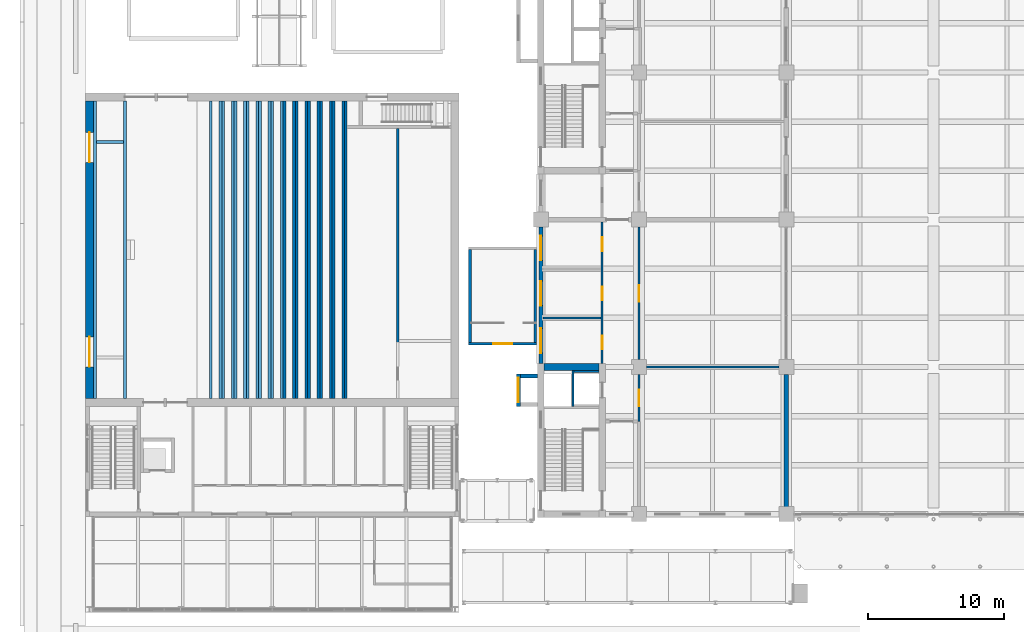
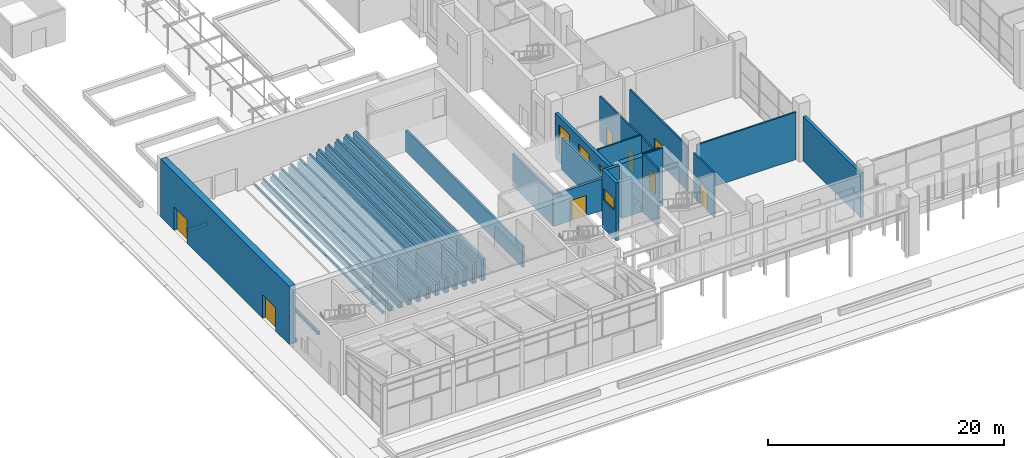
# One storey, part 47 of 71: 43 walls, 8 doors, 4 windows, 12 openings.
"""IFC4 building model written with IfcOpenShell, lengths in metres."""

import ifcopenshell
import ifcopenshell.guid

model = None  # the IFC model being written
_history = None  # IfcOwnerHistory: only IFC2X3 demands one
_inside = {}  # id of a spatial element -> (the spatial element, [elements in it])
_under = {}  # id of a project, library or spatial element -> (it, [spatial elements below it])
_declared = {}  # id of a project -> (the project, [libraries it declares])
_typed = {}  # id of a type object -> (the type object, [elements of that type])
_made_of = {}  # id of a material, layer set ... -> (it, [elements and type objects made of it])


def new_model(schema):
    """Start an empty IFC model of exactly this schema.

    Asked for "IFC4X3", IfcOpenShell would pick the latest addendum, in which some entities
    have other attributes; the version numbers below select the first issue.
    IFC2X3 requires an IfcOwnerHistory on every rooted entity: one is made here for all.
    """
    global model, _history
    if schema == "IFC4X3":
        model = ifcopenshell.file(schema_version=(4, 3, 0, 0))
    else:
        model = ifcopenshell.file(schema=schema)
    _inside.clear()
    _under.clear()
    _declared.clear()
    _typed.clear()
    _made_of.clear()
    _history = None
    if model.schema == "IFC2X3":
        org = make("IfcOrganization", Name="unknown")
        user = make(
            "IfcPersonAndOrganization",
            ThePerson=make("IfcPerson", FamilyName="unknown"),
            TheOrganization=org,
        )
        app = make(
            "IfcApplication",
            ApplicationDeveloper=org,
            Version="unknown",
            ApplicationFullName="unknown",
            ApplicationIdentifier="unknown",
        )
        _history = make(
            "IfcOwnerHistory",
            OwningUser=user,
            OwningApplication=app,
            ChangeAction="ADDED",
            CreationDate=0,
        )
    return model


def make(cls, **values):
    """One entity of the class cls with the attributes given. An attribute that is None is left unset."""
    return model.create_entity(
        cls, **{name: value for name, value in values.items() if value is not None}
    )


def rooted(cls, **values):
    """An entity with a GlobalId (a new one), such as an element, a storey or a relation."""
    return make(cls, GlobalId=ifcopenshell.guid.new(), OwnerHistory=_history, **values)


def si_unit(unit_type, name, prefix=None):
    """IfcSIUnit, for example si_unit("LENGTHUNIT", "METRE", prefix="MILLI")."""
    return make("IfcSIUnit", UnitType=unit_type, Prefix=prefix, Name=name)


def assignment(units):
    """IfcUnitAssignment: the units of a project."""
    return None if units is None else make("IfcUnitAssignment", Units=units)


def point(xyz):
    """IfcCartesianPoint."""
    return None if xyz is None else make("IfcCartesianPoint", Coordinates=xyz)


def direction(xyz):
    """IfcDirection."""
    return None if xyz is None else make("IfcDirection", DirectionRatios=xyz)


def frame(location, z_axis=None, x_axis=None):
    """IfcAxis2Placement3D, a coordinate frame: its origin and axes. An axis left out is left unset."""
    return make(
        "IfcAxis2Placement3D",
        Location=point(location),
        Axis=direction(z_axis),
        RefDirection=direction(x_axis),
    )


def frame_2d(location, x_axis=None):
    """IfcAxis2Placement2D, a coordinate frame in the plane: its origin and x axis."""
    return make(
        "IfcAxis2Placement2D", Location=point(location), RefDirection=direction(x_axis)
    )


def origin():
    """The frame at (0, 0, 0) with its axes left unset."""
    return frame((0.0, 0.0, 0.0))


def place(relative_to, where):
    """IfcLocalPlacement: puts the frame where relative to a parent placement (None: the world)."""
    return make(
        "IfcLocalPlacement", PlacementRelTo=relative_to, RelativePlacement=where
    )


def context(
    kind, dimensions, precision=None, world=None, true_north=None, identifier=None
):
    """IfcGeometricRepresentationContext, for example the 3D "Model" context."""
    return make(
        "IfcGeometricRepresentationContext",
        ContextIdentifier=identifier,
        ContextType=kind,
        CoordinateSpaceDimension=dimensions,
        Precision=precision,
        WorldCoordinateSystem=world,
        TrueNorth=true_north,
    )


def subcontext(parent, identifier, kind, view, scale=None):
    """IfcGeometricRepresentationSubContext, for example "Body" below "Model"."""
    return make(
        "IfcGeometricRepresentationSubContext",
        ContextIdentifier=identifier,
        ContextType=kind,
        ParentContext=parent,
        TargetScale=scale,
        TargetView=view,
    )


def project(units=None, contexts=None):
    """IfcProject with its units and contexts."""
    return rooted(
        "IfcProject",
        Name="project",
        RepresentationContexts=contexts,
        UnitsInContext=assignment(units),
    )


def spatial(cls, under=None, at=None, **own):
    """A site, building, storey or space (cls), placed at a placement, below another one or the project."""
    s = rooted(cls, ObjectPlacement=at, **own)
    if under is not None:
        _under.setdefault(under.id(), (under, []))[1].append(s)
    return s


def profile(cls, at=None, kind="AREA", **sizes):
    """A parametric profile (cls). Its sizes go by their IFC names, for example OverallWidth=200.0."""
    return make(cls, ProfileType=kind, Position=at, **sizes)


def rectangle(**sizes):
    """IfcRectangleProfileDef."""
    return profile("IfcRectangleProfileDef", **sizes)


def extrude(swept, where, along, depth):
    """IfcExtrudedAreaSolid: the profile swept, set in the frame where, extruded along a direction by depth."""
    return make(
        "IfcExtrudedAreaSolid",
        SweptArea=swept,
        Position=where,
        ExtrudedDirection=direction(along),
        Depth=depth,
    )


def shape(context_of_items, identifier, shape_type, items):
    """IfcShapeRepresentation: the items that make up one representation, for example the "Body"."""
    return make(
        "IfcShapeRepresentation",
        ContextOfItems=context_of_items,
        RepresentationIdentifier=identifier,
        RepresentationType=shape_type,
        Items=items,
    )


def material(Name=None, Category=None):
    """IfcMaterial."""
    return make("IfcMaterial", Name=Name, Category=Category)


def layer(
    of_material, thickness, ventilated=None, Name=None, Category=None, Priority=None
):
    """IfcMaterialLayer: one layer of a wall or slab, of a material (None: an air gap)."""
    return make(
        "IfcMaterialLayer",
        Material=of_material,
        LayerThickness=thickness,
        IsVentilated=ventilated,
        Name=Name,
        Category=Category,
        Priority=Priority,
    )


def layer_set(layers, Name=None):
    """IfcMaterialLayerSet."""
    return make("IfcMaterialLayerSet", MaterialLayers=layers, LayerSetName=Name)


def made_of(thing, what):
    """Note that an element or type object is made of a material, layer set ...; save() writes the relation."""
    if what is not None:
        _made_of.setdefault(what.id(), (what, []))[1].append(thing)
    return thing


def type_object(cls, material=None, **own):
    """A type object (cls), such as IfcWallType, which elements share."""
    return made_of(rooted(cls, **own), material)


def element(
    cls,
    number,
    at=None,
    inside=None,
    cuts=None,
    type_object=None,
    material=None,
    context=None,
    identifier="Body",
    shape_type=None,
    held_by="IfcProductDefinitionShape",
    body=None,
    shapes=None,
    **own,
):
    """One element of the class cls, such as IfcWall. Its Tag is "e" and its number.

    at: its placement. inside: the storey or other place that contains it. cuts: it is an
    opening in that element (IfcRelVoidsElement). A single representation is given by context,
    identifier, shape_type and body (its items); several are given by shapes. held_by: the class
    of the entity that holds the representations. save() writes the other relations.
    """
    e = rooted(cls, Tag="e%d" % number, ObjectPlacement=at, **own)
    if body is not None:
        shapes = [shape(context, identifier, shape_type, body)]
    if shapes is not None:
        e.Representation = make(held_by, Representations=shapes)
    if inside is not None:
        _inside.setdefault(inside.id(), (inside, []))[1].append(e)
    if cuts is not None:
        rooted(
            "IfcRelVoidsElement", RelatingBuildingElement=cuts, RelatedOpeningElement=e
        )
    if type_object is not None:
        _typed.setdefault(type_object.id(), (type_object, []))[1].append(e)
    return made_of(e, material)


def fill(opening, filler):
    """IfcRelFillsElement: the door or window that sits in an opening."""
    return rooted(
        "IfcRelFillsElement",
        RelatingOpeningElement=opening,
        RelatedBuildingElement=filler,
    )


def aggregate(whole, parts):
    """IfcRelAggregates: a whole, such as a stair, and the parts it consists of."""
    return rooted("IfcRelAggregates", RelatingObject=whole, RelatedObjects=parts)


def save(model, path):
    """Write the relations noted so far, then the file.

    IfcRelAggregates (storeys below a building ...), IfcRelContainedInSpatialStructure (elements
    in a storey), IfcRelDefinesByType, IfcRelAssociatesMaterial and IfcRelDeclares: one each for
    every whole, place, type object, material and project.
    """
    for whole, parts in _under.values():
        aggregate(whole, parts)
    for where, things in _inside.values():
        rooted(
            "IfcRelContainedInSpatialStructure",
            RelatedElements=things,
            RelatingStructure=where,
        )
    for kind, things in _typed.values():
        rooted("IfcRelDefinesByType", RelatedObjects=things, RelatingType=kind)
    for what, things in _made_of.values():
        rooted("IfcRelAssociatesMaterial", RelatedObjects=things, RelatingMaterial=what)
    for by, libraries in _declared.values():
        rooted("IfcRelDeclares", RelatingContext=by, RelatedDefinitions=libraries)
    model.write(path)


model = new_model("IFC4")

# Units and contexts
model_context = context("Model", 3, precision=1e-05, world=origin(), true_north=direction((0.0, 1.0)))
body_context = subcontext(model_context, "Body", "Model", "MODEL_VIEW")
ifc_project = project(units=[si_unit("LENGTHUNIT", "METRE"), si_unit("AREAUNIT", "SQUARE_METRE"), si_unit("VOLUMEUNIT", "CUBIC_METRE"), si_unit("PLANEANGLEUNIT", "RADIAN"), si_unit("MASSUNIT", "GRAM", prefix="KILO")], contexts=[model_context])

# Site, building, storey
site_placement = place(None, origin())
site = spatial("IfcSite", under=ifc_project, at=site_placement, CompositionType="ELEMENT")
building_placement = place(site_placement, origin())
building = spatial("IfcBuilding", under=site, at=building_placement, Name="Basin Gate Institute", CompositionType="ELEMENT")
storey_placement = place(building_placement, origin())
storey = spatial("IfcBuildingStorey", under=building, at=storey_placement, Name="L00", CompositionType="ELEMENT", Elevation=0.0)

# Wall
ifc_material_1 = material(Name="Fire-resisting board wall assembly")
ifc_layer_1 = layer(ifc_material_1, 0.300048828125)
ifc_layer_set_1 = layer_set([ifc_layer_1], Name="Atrium enclosure wall EW4")
wall_type_1 = type_object("IfcWallType", Name="Atrium enclosure wall EW4", PredefinedType="STANDARD", material=ifc_layer_set_1)
wall_1_placement = place(storey_placement, frame((79.199951171875, 35.64990234375, 0.0), z_axis=(0.0, 0.0, 1.0), x_axis=(0.0, 1.0, 0.0)))
element("IfcWall", 1, at=wall_1_placement, inside=storey, type_object=wall_type_1, material=ifc_layer_set_1, Name="Atrium enclosure wall W wing bay 1 L00", PredefinedType="STANDARD", context=body_context, shape_type="SweptSolid", body=[
    extrude(rectangle(XDim=9.7001953125, YDim=0.300048828125, at=frame_2d((4.85009765625, 0.0))), origin(), (0.0, 0.0, 1.0), 4.60009765625),
])

# Wall, openings, windows
ifc_material_2 = material(Name="Aluminium-faced insulated panel wall", Category="aluminium")
ifc_layer_2 = layer(ifc_material_2, 0.300048828125)
ifc_layer_set_2 = layer_set([ifc_layer_2], Name="External wall EW1 EI 120")
wall_type_2 = type_object("IfcWallType", Name="External wall EW1 EI 120", PredefinedType="STANDARD", material=ifc_layer_set_2)
wall_2_placement = place(storey_placement, frame((61.199951171875, 46.14990234375, 0.0), z_axis=(0.0, 0.0, 1.0), x_axis=(0.0, 1.0, 0.0)))
wall_2 = element("IfcWall", 2, at=wall_2_placement, inside=storey, type_object=wall_type_2, material=ifc_layer_set_2, Name="External wall W facade L00 1", PredefinedType="STANDARD", context=body_context, shape_type="SweptSolid", body=[
    extrude(rectangle(XDim=10.0, YDim=0.300048828125, at=frame_2d((5.0, 0.0))), origin(), (0.0, 0.0, 1.0), 4.699951171875),
])
opening_1_placement = place(wall_2_placement, frame((0.77490234375, 0.0, 0.89990234375)))
opening_1 = element("IfcOpeningElement", 3, at=opening_1_placement, cuts=wall_2, Name="Opening WN2", PredefinedType="OPENING", context=body_context, shape_type="SweptSolid", body=[
    extrude(rectangle(XDim=1.800048828125, YDim=3.0, at=frame_2d((0.89990234375, 1.5))), frame((0.0, 0.16015625, 0.0), z_axis=(0.0, -1.0, 0.0), x_axis=(1.0, 0.0, 0.0)), (0.0, 0.0, 1.0), 0.320068359375),
])
opening_2_placement = place(wall_2_placement, frame((4.25, 0.0, 0.89990234375)))
opening_2 = element("IfcOpeningElement", 4, at=opening_2_placement, cuts=wall_2, Name="Opening WN2", PredefinedType="OPENING", context=body_context, shape_type="SweptSolid", body=[
    extrude(rectangle(XDim=1.800048828125, YDim=3.0, at=frame_2d((0.89990234375, 1.5))), frame((0.0, 0.16015625, 0.0), z_axis=(0.0, -1.0, 0.0), x_axis=(1.0, 0.0, 0.0)), (0.0, 0.0, 1.0), 0.320068359375),
])
opening_3_placement = place(wall_2_placement, frame((7.574951171875, 0.0, 0.89990234375)))
opening_3 = element("IfcOpeningElement", 5, at=opening_3_placement, cuts=wall_2, Name="Opening WN2", PredefinedType="OPENING", context=body_context, shape_type="SweptSolid", body=[
    extrude(rectangle(XDim=1.800048828125, YDim=3.0, at=frame_2d((0.89990234375, 1.5))), frame((0.0, 0.16015625, 0.0), z_axis=(0.0, -1.0, 0.0), x_axis=(1.0, 0.0, 0.0)), (0.0, 0.0, 1.0), 0.320068359375),
])
ifc_material_3 = material(Name="Aluminium-framed double glazing", Category="aluminium")
window_type_1 = type_object("IfcWindowType", Name="Podium window WN2", PartitioningType="SINGLE_PANEL", PredefinedType="WINDOW", material=ifc_material_3)
window_1_placement = place(opening_1_placement, origin())
window_1 = element("IfcWindow", 6, at=window_1_placement, inside=storey, type_object=window_type_1, material=ifc_material_3, Name="Podium window W facade L00 bay 4", OverallHeight=3.0, OverallWidth=1.800048828125, PartitioningType="SINGLE_PANEL", PredefinedType="WINDOW", context=body_context, shape_type="SweptSolid", body=[
    extrude(rectangle(XDim=1.800048828125, YDim=3.0, at=frame_2d((0.89990234375, 1.5))), frame((0.0, 0.030029296875, 0.0), z_axis=(0.0, -1.0, 0.0), x_axis=(1.0, 0.0, 0.0)), (0.0, 0.0, 1.0), 0.06005859375),
])
fill(opening_1, window_1)
window_2_placement = place(opening_2_placement, origin())
window_2 = element("IfcWindow", 7, at=window_2_placement, inside=storey, type_object=window_type_1, material=ifc_material_3, Name="Podium window W facade L00 bay 5", OverallHeight=3.0, OverallWidth=1.800048828125, PartitioningType="SINGLE_PANEL", PredefinedType="WINDOW", context=body_context, shape_type="SweptSolid", body=[
    extrude(rectangle(XDim=1.800048828125, YDim=3.0, at=frame_2d((0.89990234375, 1.5))), frame((0.0, 0.030029296875, 0.0), z_axis=(0.0, -1.0, 0.0), x_axis=(1.0, 0.0, 0.0)), (0.0, 0.0, 1.0), 0.06005859375),
])
fill(opening_2, window_2)
window_3_placement = place(opening_3_placement, origin())
window_3 = element("IfcWindow", 8, at=window_3_placement, inside=storey, type_object=window_type_1, material=ifc_material_3, Name="Podium window W facade L00 bay 6", OverallHeight=3.0, OverallWidth=1.800048828125, PartitioningType="SINGLE_PANEL", PredefinedType="WINDOW", context=body_context, shape_type="SweptSolid", body=[
    extrude(rectangle(XDim=1.800048828125, YDim=3.0, at=frame_2d((0.89990234375, 1.5))), frame((0.0, 0.030029296875, 0.0), z_axis=(0.0, -1.0, 0.0), x_axis=(1.0, 0.0, 0.0)), (0.0, 0.0, 1.0), 0.06005859375),
])
fill(opening_3, window_3)

# Wall, openings, doors
ifc_material_4 = material(Name="Gypsum board on steel stud", Category="steel")
ifc_layer_3 = layer(ifc_material_4, 0.14990234375)
ifc_layer_set_3 = layer_set([ifc_layer_3], Name="Gypsum board on steel stud")
wall_type_3 = type_object("IfcWallType", Name="Partition PW1 150 EI 60", PredefinedType="PARTITIONING", material=ifc_layer_set_3)
wall_3_placement = place(storey_placement, frame((65.699951171875, 46.14990234375, 0.0), z_axis=(0.0, 0.0, 1.0), x_axis=(0.0, 1.0, 0.0)))
wall_3 = element("IfcWall", 9, at=wall_3_placement, inside=storey, type_object=wall_type_3, material=ifc_layer_set_3, Name="Corridor wall PW1 L00", PredefinedType="PARTITIONING", context=body_context, shape_type="SweptSolid", body=[
    extrude(rectangle(XDim=10.400146484375, YDim=0.14990234375, at=frame_2d((5.2001953125, 0.0))), origin(), (0.0, 0.0, 1.0), 4.60009765625),
])
opening_4_placement = place(wall_3_placement, frame((1.050048828125, 0.0, 0.0)))
opening_4 = element("IfcOpeningElement", 10, at=opening_4_placement, cuts=wall_3, Name="Opening DR034", PredefinedType="OPENING", context=body_context, shape_type="SweptSolid", body=[
    extrude(rectangle(XDim=1.0, YDim=2.10009765625, at=frame_2d((0.5, 1.050048828125))), frame((0.0, 0.0849609375, 0.0), z_axis=(0.0, -1.0, 0.0), x_axis=(1.0, 0.0, 0.0)), (0.0, 0.0, 1.0), 0.169921875),
])
opening_5_placement = place(wall_3_placement, frame((4.64990234375, 0.0, 0.0)))
opening_5 = element("IfcOpeningElement", 11, at=opening_5_placement, cuts=wall_3, Name="Opening DR035", PredefinedType="OPENING", context=body_context, shape_type="SweptSolid", body=[
    extrude(rectangle(XDim=1.0, YDim=2.10009765625, at=frame_2d((0.5, 1.050048828125))), frame((0.0, 0.0849609375, 0.0), z_axis=(0.0, -1.0, 0.0), x_axis=(1.0, 0.0, 0.0)), (0.0, 0.0, 1.0), 0.169921875),
])
opening_6_placement = place(wall_3_placement, frame((8.25, 0.0, 0.0)))
opening_6 = element("IfcOpeningElement", 12, at=opening_6_placement, cuts=wall_3, Name="Opening DR036", PredefinedType="OPENING", context=body_context, shape_type="SweptSolid", body=[
    extrude(rectangle(XDim=1.0, YDim=2.10009765625, at=frame_2d((0.5, 1.050048828125))), frame((0.0, 0.0849609375, 0.0), z_axis=(0.0, -1.0, 0.0), x_axis=(1.0, 0.0, 0.0)), (0.0, 0.0, 1.0), 0.169921875),
])
ifc_material_5 = material(Name="Timber fire door", Category="wood")
door_type_1 = type_object("IfcDoorType", Name="FD30 Office door D1", OperationType="NOTDEFINED", PredefinedType="DOOR", material=ifc_material_5)
door_1_placement = place(opening_4_placement, origin())
door_1 = element("IfcDoor", 13, at=door_1_placement, inside=storey, type_object=door_type_1, material=ifc_material_5, Name="Door to Write-up Office 0001 L00", OperationType="SINGLE_SWING_LEFT", OverallHeight=2.10009765625, OverallWidth=1.0, PredefinedType="DOOR", context=body_context, shape_type="SweptSolid", body=[
    extrude(rectangle(XDim=1.0, YDim=2.10009765625, at=frame_2d((0.5, 1.050048828125))), frame((0.0, 0.02490234375, 0.0), z_axis=(0.0, -1.0, 0.0), x_axis=(1.0, 0.0, 0.0)), (0.0, 0.0, 1.0), 0.050048828125),
])
fill(opening_4, door_1)
door_2_placement = place(opening_5_placement, origin())
door_2 = element("IfcDoor", 14, at=door_2_placement, inside=storey, type_object=door_type_1, material=ifc_material_5, Name="Door to Write-up Office 0002 L00", OperationType="SINGLE_SWING_LEFT", OverallHeight=2.10009765625, OverallWidth=1.0, PredefinedType="DOOR", context=body_context, shape_type="SweptSolid", body=[
    extrude(rectangle(XDim=1.0, YDim=2.10009765625, at=frame_2d((0.5, 1.050048828125))), frame((0.0, 0.02490234375, 0.0), z_axis=(0.0, -1.0, 0.0), x_axis=(1.0, 0.0, 0.0)), (0.0, 0.0, 1.0), 0.050048828125),
])
fill(opening_5, door_2)
door_3_placement = place(opening_6_placement, origin())
door_3 = element("IfcDoor", 15, at=door_3_placement, inside=storey, type_object=door_type_1, material=ifc_material_5, Name="Door to Write-up Office 0003 L00", OperationType="SINGLE_SWING_RIGHT", OverallHeight=2.10009765625, OverallWidth=1.0, PredefinedType="DOOR", context=body_context, shape_type="SweptSolid", body=[
    extrude(rectangle(XDim=1.0, YDim=2.10009765625, at=frame_2d((0.5, 1.050048828125))), frame((0.0, 0.02490234375, 0.0), z_axis=(0.0, -1.0, 0.0), x_axis=(1.0, 0.0, 0.0)), (0.0, 0.0, 1.0), 0.050048828125),
])
fill(opening_6, door_3)

# Wall, opening, door
wall_4_placement = place(storey_placement, frame((68.39990234375, 41.89990234375, 0.0), z_axis=(0.0, 0.0, 1.0), x_axis=(0.0, 1.0, 0.0)))
wall_4 = element("IfcWall", 16, at=wall_4_placement, inside=storey, type_object=wall_type_3, material=ifc_layer_set_3, Name="Laboratory corridor wall PW1 L00", PredefinedType="PARTITIONING", context=body_context, shape_type="SweptSolid", body=[
    extrude(rectangle(XDim=3.4501953125, YDim=0.14990234375, at=frame_2d((1.72509765625, 0.0))), origin(), (0.0, 0.0, 1.0), 4.60009765625),
])
opening_7_placement = place(wall_4_placement, frame((1.125, 0.0, 0.0)))
opening_7 = element("IfcOpeningElement", 17, at=opening_7_placement, cuts=wall_4, Name="Opening DR027", PredefinedType="OPENING", context=body_context, shape_type="SweptSolid", body=[
    extrude(rectangle(XDim=1.199951171875, YDim=2.10009765625, at=frame_2d((0.60009765625, 1.050048828125))), frame((0.0, 0.0849609375, 0.0), z_axis=(0.0, -1.0, 0.0), x_axis=(1.0, 0.0, 0.0)), (0.0, 0.0, 1.0), 0.169921875),
])
ifc_material_6 = material(Name="Timber fire door", Category="wood")
door_type_2 = type_object("IfcDoorType", Name="FD30 Laboratory door D2", OperationType="DOUBLE_DOOR_SINGLE_SWING", PredefinedType="DOOR", material=ifc_material_6)
door_4_placement = place(opening_7_placement, frame((1.199951171875, 0.0, 0.0), z_axis=(0.0, 0.0, 1.0), x_axis=(-1.0, 0.0, 0.0)))
door_4 = element("IfcDoor", 18, at=door_4_placement, inside=storey, type_object=door_type_2, material=ifc_material_6, Name="Door to Exhibition Gallery 0017 L00", OperationType="DOUBLE_DOOR_SINGLE_SWING", OverallHeight=2.10009765625, OverallWidth=1.199951171875, PredefinedType="DOOR", context=body_context, shape_type="SweptSolid", body=[
    extrude(rectangle(XDim=1.199951171875, YDim=2.10009765625, at=frame_2d((0.60009765625, 1.050048828125))), frame((0.0, 0.02490234375, 0.0), z_axis=(0.0, -1.0, 0.0), x_axis=(1.0, 0.0, 0.0)), (0.0, 0.0, 1.0), 0.050048828125),
])
fill(opening_7, door_4)

wall_5_placement = place(storey_placement, frame((68.39990234375, 46.449951171875, 0.0), z_axis=(0.0, 0.0, 1.0), x_axis=(0.0, 1.0, 0.0)))
wall_5 = element("IfcWall", 19, at=wall_5_placement, inside=storey, type_object=wall_type_3, material=ifc_layer_set_3, Name="Laboratory corridor wall PW1 L00", PredefinedType="PARTITIONING", context=body_context, shape_type="SweptSolid", body=[
    extrude(rectangle(XDim=9.699951171875, YDim=0.14990234375, at=frame_2d((4.85009765625, 0.0))), origin(), (0.0, 0.0, 1.0), 4.60009765625),
])
opening_8_placement = place(wall_5_placement, frame((4.25, 0.0, 0.0)))
opening_8 = element("IfcOpeningElement", 20, at=opening_8_placement, cuts=wall_5, Name="Opening DR031", PredefinedType="OPENING", context=body_context, shape_type="SweptSolid", body=[
    extrude(rectangle(XDim=1.199951171875, YDim=2.10009765625, at=frame_2d((0.60009765625, 1.050048828125))), frame((0.0, 0.0849609375, 0.0), z_axis=(0.0, -1.0, 0.0), x_axis=(1.0, 0.0, 0.0)), (0.0, 0.0, 1.0), 0.169921875),
])
door_5_placement = place(opening_8_placement, origin())
door_5 = element("IfcDoor", 21, at=door_5_placement, inside=storey, type_object=door_type_2, material=ifc_material_6, Name="Door to Foyer 0018 L00", OperationType="DOUBLE_DOOR_SINGLE_SWING", OverallHeight=2.10009765625, OverallWidth=1.199951171875, PredefinedType="DOOR", context=body_context, shape_type="SweptSolid", body=[
    extrude(rectangle(XDim=1.199951171875, YDim=2.10009765625, at=frame_2d((0.60009765625, 1.050048828125))), frame((0.0, 0.02490234375, 0.0), z_axis=(0.0, -1.0, 0.0), x_axis=(1.0, 0.0, 0.0)), (0.0, 0.0, 1.0), 0.050048828125),
])
fill(opening_8, door_5)

# Walls
wall_6_placement = place(storey_placement, frame((68.949951171875, 45.89990234375, 0.0), z_axis=(0.0, 0.0, 1.0), x_axis=(1.0, 0.0, 0.0)))
element("IfcWall", 22, at=wall_6_placement, inside=storey, type_object=wall_type_3, material=ifc_layer_set_3, Name="Laboratory partition PW1 L00", PredefinedType="PARTITIONING", context=body_context, shape_type="SweptSolid", body=[
    extrude(rectangle(XDim=9.699951171875, YDim=0.14990234375, at=frame_2d((4.85009765625, 0.0))), origin(), (0.0, 0.0, 1.0), 4.89990234375),
])
ifc_material_7 = material(Name="Gypsum board on steel stud", Category="steel")
ifc_layer_4 = layer(ifc_material_7, 0.14990234375)
ifc_layer_set_4 = layer_set([ifc_layer_4], Name="Gypsum board on steel stud")
wall_type_4 = type_object("IfcWallType", Name="Partition PW4 150", PredefinedType="PARTITIONING", material=ifc_layer_set_4)
wall_7_placement = place(storey_placement, frame((61.35009765625, 49.5, 0.0), z_axis=(0.0, 0.0, 1.0), x_axis=(1.0, 0.0, 0.0)))
element("IfcWall", 23, at=wall_7_placement, inside=storey, type_object=wall_type_4, material=ifc_layer_set_4, Name="Office partition PW4 L00", PredefinedType="PARTITIONING", context=body_context, shape_type="SweptSolid", body=[
    extrude(rectangle(XDim=4.27490234375, YDim=0.14990234375, at=frame_2d((2.137451171875, 0.0))), origin(), (0.0, 0.0, 1.0), 4.89990234375),
])

# Wall, opening, door
ifc_material_8 = material(Name="Concrete 35 MPa", Category="concrete")
ifc_layer_5 = layer(ifc_material_8, 0.199951171875)
ifc_layer_set_5 = layer_set([ifc_layer_5], Name="Concrete 35 MPa")
wall_type_5 = type_object("IfcWallType", Name="Stair head house wall 200", PredefinedType="SOLIDWALL", material=ifc_layer_set_5)
wall_8_placement = place(storey_placement, frame((55.89990234375, 47.60009765625, 0.0), z_axis=(0.0, 0.0, 1.0), x_axis=(1.0, 0.0, 0.0)))
wall_8 = element("IfcWall", 24, at=wall_8_placement, inside=storey, type_object=wall_type_5, material=ifc_layer_set_5, Name="Stair head house BS1 wall", PredefinedType="SOLIDWALL", context=body_context, shape_type="SweptSolid", body=[
    extrude(rectangle(XDim=5.0, YDim=0.199951171875, at=frame_2d((2.5, 0.0))), origin(), (0.0, 0.0, 1.0), 3.300048828125),
])
opening_9_placement = place(wall_8_placement, frame((1.800048828125, 0.0, 0.0)))
opening_9 = element("IfcOpeningElement", 25, at=opening_9_placement, cuts=wall_8, Name="Opening DB901", PredefinedType="OPENING", context=body_context, shape_type="SweptSolid", body=[
    extrude(rectangle(XDim=1.39990234375, YDim=2.10009765625, at=frame_2d((0.699951171875, 1.050048828125))), frame((0.0, 0.10986328125, 0.0), z_axis=(0.0, -1.0, 0.0), x_axis=(1.0, 0.0, 0.0)), (0.0, 0.0, 1.0), 0.219970703125),
])
ifc_material_9 = material(Name="Steel door set", Category="steel")
door_type_3 = type_object("IfcDoorType", Name="Final exit door 1400x2100", OperationType="DOUBLE_DOOR_SINGLE_SWING", PredefinedType="DOOR", material=ifc_material_9)
door_6_placement = place(opening_9_placement, frame((1.39990234375, 0.0, 0.0), z_axis=(0.0, 0.0, 1.0), x_axis=(-1.0, 0.0, 0.0)))
door_6 = element("IfcDoor", 26, at=door_6_placement, inside=storey, type_object=door_type_3, material=ifc_material_9, Name="Final exit BS1", OperationType="DOUBLE_DOOR_SINGLE_SWING", OverallHeight=2.10009765625, OverallWidth=1.39990234375, PredefinedType="DOOR", context=body_context, shape_type="SweptSolid", body=[
    extrude(rectangle(XDim=1.39990234375, YDim=2.10009765625, at=frame_2d((0.699951171875, 1.050048828125))), frame((0.0, 0.02490234375, 0.0), z_axis=(0.0, -1.0, 0.0), x_axis=(1.0, 0.0, 0.0)), (0.0, 0.0, 1.0), 0.050048828125),
])
fill(opening_9, door_6)

# Walls
for number, where, z_axis, x_axis, name in (
    (27, (56.0, 47.699951171875, 0.0), (0.0, 0.0, 1.0), (0.0, 1.0, 0.0), "Stair head house BS1 wall"),
    (28, (60.800048828125, 47.699951171875, 0.0), (0.0, 0.0, 1.0), (0.0, 1.0, 0.0), "Stair head house BS1 wall"),
):
    element("IfcWall", number, at=place(storey_placement, frame(where, z_axis=z_axis, x_axis=x_axis)), inside=storey, type_object=wall_type_5, material=ifc_layer_set_5, Name=name, PredefinedType="SOLIDWALL", context=body_context, shape_type="SweptSolid", body=[
        extrude(rectangle(XDim=6.800048828125, YDim=0.199951171875, at=frame_2d((3.39990234375, 0.0))), origin(), (0.0, 0.0, 1.0), 3.300048828125),
    ])

# Wall, openings, doors
ifc_material_10 = material(Name="Concrete 50 MPa", Category="concrete")
ifc_layer_6 = layer(ifc_material_10, 0.60009765625)
ifc_layer_set_6 = layer_set([ifc_layer_6], Name="Concrete 50 MPa")
wall_type_6 = type_object("IfcWallType", Name="Theatre auditorium wall W79 REI 180", PredefinedType="SOLIDWALL", material=ifc_layer_set_6)
wall_9_placement = place(storey_placement, frame((28.10009765625, 43.60009765625, 0.0), z_axis=(0.0, 0.0, 1.0), x_axis=(0.0, 1.0, 0.0)))
wall_9 = element("IfcWall", 29, at=wall_9_placement, inside=storey, type_object=wall_type_6, material=ifc_layer_set_6, Name="Theatre stage end wall L00", PredefinedType="SOLIDWALL", context=body_context, shape_type="SweptSolid", body=[
    extrude(rectangle(XDim=21.7998046875, YDim=0.60009765625, at=frame_2d((10.89990234375, 0.0))), origin(), (0.0, 0.0, 1.0), 6.0),
])
opening_10_placement = place(wall_9_placement, frame((2.300048828125, 0.0, 0.0)))
opening_10 = element("IfcOpeningElement", 30, at=opening_10_placement, cuts=wall_9, Name="Opening D912", PredefinedType="OPENING", context=body_context, shape_type="SweptSolid", body=[
    extrude(rectangle(XDim=2.199951171875, YDim=2.39990234375, at=frame_2d((1.10009765625, 1.199951171875))), frame((0.0, 0.31005859375, 0.0), z_axis=(0.0, -1.0, 0.0), x_axis=(1.0, 0.0, 0.0)), (0.0, 0.0, 1.0), 0.6201171875),
])
opening_11_placement = place(wall_9_placement, frame((17.300048828125, 0.0, 0.0)))
opening_11 = element("IfcOpeningElement", 31, at=opening_11_placement, cuts=wall_9, Name="Opening D913", PredefinedType="OPENING", context=body_context, shape_type="SweptSolid", body=[
    extrude(rectangle(XDim=2.199951171875, YDim=2.39990234375, at=frame_2d((1.10009765625, 1.199951171875))), frame((0.0, 0.31005859375, 0.0), z_axis=(0.0, -1.0, 0.0), x_axis=(1.0, 0.0, 0.0)), (0.0, 0.0, 1.0), 0.6201171875),
])
ifc_material_11 = material(Name="Steel door leaf with glazed vision panel", Category="steel")
door_type_4 = type_object("IfcDoorType", Name="Block door 2200 double swing", OperationType="DOUBLE_DOOR_SINGLE_SWING", PredefinedType="DOOR", material=ifc_material_11)
door_7_placement = place(opening_10_placement, origin())
door_7 = element("IfcDoor", 32, at=door_7_placement, inside=storey, type_object=door_type_4, material=ifc_material_11, Name="Final exit Lecture Theatre W1", OperationType="DOUBLE_DOOR_SINGLE_SWING", OverallHeight=2.39990234375, OverallWidth=2.199951171875, PredefinedType="DOOR", context=body_context, shape_type="SweptSolid", body=[
    extrude(rectangle(XDim=2.199951171875, YDim=2.39990234375, at=frame_2d((1.10009765625, 1.199951171875))), frame((0.0, 0.02490234375, 0.0), z_axis=(0.0, -1.0, 0.0), x_axis=(1.0, 0.0, 0.0)), (0.0, 0.0, 1.0), 0.050048828125),
])
fill(opening_10, door_7)
door_8_placement = place(opening_11_placement, origin())
door_8 = element("IfcDoor", 33, at=door_8_placement, inside=storey, type_object=door_type_4, material=ifc_material_11, Name="Final exit Lecture Theatre W2", OperationType="DOUBLE_DOOR_SINGLE_SWING", OverallHeight=2.39990234375, OverallWidth=2.199951171875, PredefinedType="DOOR", context=body_context, shape_type="SweptSolid", body=[
    extrude(rectangle(XDim=2.199951171875, YDim=2.39990234375, at=frame_2d((1.10009765625, 1.199951171875))), frame((0.0, 0.02490234375, 0.0), z_axis=(0.0, -1.0, 0.0), x_axis=(1.0, 0.0, 0.0)), (0.0, 0.0, 1.0), 0.050048828125),
])
fill(opening_11, door_8)

# Walls
ifc_material_12 = material(Name="Concrete 40 MPa", Category="concrete")
ifc_layer_7 = layer(ifc_material_12, 0.199951171875)
ifc_layer_set_7 = layer_set([ifc_layer_7], Name="Concrete 40 MPa")
wall_type_7 = type_object("IfcWallType", Name="Tier support wall W74 R180", PredefinedType="SOLIDWALL", material=ifc_layer_set_7)
for number, where, z_axis, x_axis, name in (
    (34, (37.0, 43.60009765625, 0.0), (0.0, 0.0, 1.0), (0.0, 1.0, 0.0), "Tier support wall 2a"),
    (35, (37.699951171875, 43.60009765625, 0.0), (0.0, 0.0, 1.0), (0.0, 1.0, 0.0), "Tier support wall 2b"),
):
    element("IfcWall", number, at=place(storey_placement, frame(where, z_axis=z_axis, x_axis=x_axis)), inside=storey, type_object=wall_type_7, material=ifc_layer_set_7, Name=name, PredefinedType="SOLIDWALL", context=body_context, shape_type="SweptSolid", body=[
        extrude(rectangle(XDim=21.7998046875, YDim=0.199951171875, at=frame_2d((10.89990234375, 0.0))), origin(), (0.0, 0.0, 1.0), 0.199951171875),
    ])
for number, where, z_axis, x_axis, name in (
    (36, (37.89990234375, 43.60009765625, 0.0), (0.0, 0.0, 1.0), (0.0, 1.0, 0.0), "Tier support wall 3a"),
    (37, (38.60009765625, 43.60009765625, 0.0), (0.0, 0.0, 1.0), (0.0, 1.0, 0.0), "Tier support wall 3b"),
):
    element("IfcWall", number, at=place(storey_placement, frame(where, z_axis=z_axis, x_axis=x_axis)), inside=storey, type_object=wall_type_7, material=ifc_layer_set_7, Name=name, PredefinedType="SOLIDWALL", context=body_context, shape_type="SweptSolid", body=[
        extrude(rectangle(XDim=21.7998046875, YDim=0.199951171875, at=frame_2d((10.89990234375, 0.0))), origin(), (0.0, 0.0, 1.0), 0.39990234375),
    ])
for number, where, z_axis, x_axis, name in (
    (38, (38.800048828125, 43.60009765625, 0.0), (0.0, 0.0, 1.0), (0.0, 1.0, 0.0), "Tier support wall 4a"),
    (39, (39.5, 43.60009765625, 0.0), (0.0, 0.0, 1.0), (0.0, 1.0, 0.0), "Tier support wall 4b"),
):
    element("IfcWall", number, at=place(storey_placement, frame(where, z_axis=z_axis, x_axis=x_axis)), inside=storey, type_object=wall_type_7, material=ifc_layer_set_7, Name=name, PredefinedType="SOLIDWALL", context=body_context, shape_type="SweptSolid", body=[
        extrude(rectangle(XDim=21.7998046875, YDim=0.199951171875, at=frame_2d((10.89990234375, 0.0))), origin(), (0.0, 0.0, 1.0), 0.60009765625),
    ])
for number, where, z_axis, x_axis, name in (
    (40, (39.699951171875, 43.60009765625, 0.0), (0.0, 0.0, 1.0), (0.0, 1.0, 0.0), "Tier support wall 5a"),
    (41, (40.39990234375, 43.60009765625, 0.0), (0.0, 0.0, 1.0), (0.0, 1.0, 0.0), "Tier support wall 5b"),
):
    element("IfcWall", number, at=place(storey_placement, frame(where, z_axis=z_axis, x_axis=x_axis)), inside=storey, type_object=wall_type_7, material=ifc_layer_set_7, Name=name, PredefinedType="SOLIDWALL", context=body_context, shape_type="SweptSolid", body=[
        extrude(rectangle(XDim=21.7998046875, YDim=0.199951171875, at=frame_2d((10.89990234375, 0.0))), origin(), (0.0, 0.0, 1.0), 0.800048828125),
    ])
for number, where, z_axis, x_axis, name in (
    (42, (40.60009765625, 43.60009765625, 0.0), (0.0, 0.0, 1.0), (0.0, 1.0, 0.0), "Tier support wall 6a"),
    (43, (41.300048828125, 43.60009765625, 0.0), (0.0, 0.0, 1.0), (0.0, 1.0, 0.0), "Tier support wall 6b"),
):
    element("IfcWall", number, at=place(storey_placement, frame(where, z_axis=z_axis, x_axis=x_axis)), inside=storey, type_object=wall_type_7, material=ifc_layer_set_7, Name=name, PredefinedType="SOLIDWALL", context=body_context, shape_type="SweptSolid", body=[
        extrude(rectangle(XDim=21.7998046875, YDim=0.199951171875, at=frame_2d((10.89990234375, 0.0))), origin(), (0.0, 0.0, 1.0), 1.0),
    ])
for number, where, z_axis, x_axis, name in (
    (44, (41.5, 43.60009765625, 0.0), (0.0, 0.0, 1.0), (0.0, 1.0, 0.0), "Tier support wall 7a"),
    (45, (42.199951171875, 43.60009765625, 0.0), (0.0, 0.0, 1.0), (0.0, 1.0, 0.0), "Tier support wall 7b"),
):
    element("IfcWall", number, at=place(storey_placement, frame(where, z_axis=z_axis, x_axis=x_axis)), inside=storey, type_object=wall_type_7, material=ifc_layer_set_7, Name=name, PredefinedType="SOLIDWALL", context=body_context, shape_type="SweptSolid", body=[
        extrude(rectangle(XDim=21.7998046875, YDim=0.199951171875, at=frame_2d((10.89990234375, 0.0))), origin(), (0.0, 0.0, 1.0), 1.199951171875),
    ])
for number, where, z_axis, x_axis, name in (
    (46, (42.39990234375, 43.60009765625, 0.0), (0.0, 0.0, 1.0), (0.0, 1.0, 0.0), "Tier support wall 8a"),
    (47, (43.10009765625, 43.60009765625, 0.0), (0.0, 0.0, 1.0), (0.0, 1.0, 0.0), "Tier support wall 8b"),
):
    element("IfcWall", number, at=place(storey_placement, frame(where, z_axis=z_axis, x_axis=x_axis)), inside=storey, type_object=wall_type_7, material=ifc_layer_set_7, Name=name, PredefinedType="SOLIDWALL", context=body_context, shape_type="SweptSolid", body=[
        extrude(rectangle(XDim=21.7998046875, YDim=0.199951171875, at=frame_2d((10.89990234375, 0.0))), origin(), (0.0, 0.0, 1.0), 1.39990234375),
    ])
for number, where, z_axis, x_axis, name in (
    (48, (43.300048828125, 43.60009765625, 0.0), (0.0, 0.0, 1.0), (0.0, 1.0, 0.0), "Tier support wall 9a"),
    (49, (44.0, 43.60009765625, 0.0), (0.0, 0.0, 1.0), (0.0, 1.0, 0.0), "Tier support wall 9b"),
):
    element("IfcWall", number, at=place(storey_placement, frame(where, z_axis=z_axis, x_axis=x_axis)), inside=storey, type_object=wall_type_7, material=ifc_layer_set_7, Name=name, PredefinedType="SOLIDWALL", context=body_context, shape_type="SweptSolid", body=[
        extrude(rectangle(XDim=21.7998046875, YDim=0.199951171875, at=frame_2d((10.89990234375, 0.0))), origin(), (0.0, 0.0, 1.0), 1.60009765625),
    ])
for number, where, z_axis, x_axis, name in (
    (50, (44.199951171875, 43.60009765625, 0.0), (0.0, 0.0, 1.0), (0.0, 1.0, 0.0), "Tier support wall 10a"),
    (51, (44.89990234375, 43.60009765625, 0.0), (0.0, 0.0, 1.0), (0.0, 1.0, 0.0), "Tier support wall 10b"),
):
    element("IfcWall", number, at=place(storey_placement, frame(where, z_axis=z_axis, x_axis=x_axis)), inside=storey, type_object=wall_type_7, material=ifc_layer_set_7, Name=name, PredefinedType="SOLIDWALL", context=body_context, shape_type="SweptSolid", body=[
        extrude(rectangle(XDim=21.7998046875, YDim=0.199951171875, at=frame_2d((10.89990234375, 0.0))), origin(), (0.0, 0.0, 1.0), 1.800048828125),
    ])
for number, where, z_axis, x_axis, name in (
    (52, (45.10009765625, 43.60009765625, 0.0), (0.0, 0.0, 1.0), (0.0, 1.0, 0.0), "Tier support wall 11a"),
    (53, (45.800048828125, 43.60009765625, 0.0), (0.0, 0.0, 1.0), (0.0, 1.0, 0.0), "Tier support wall 11b"),
):
    element("IfcWall", number, at=place(storey_placement, frame(where, z_axis=z_axis, x_axis=x_axis)), inside=storey, type_object=wall_type_7, material=ifc_layer_set_7, Name=name, PredefinedType="SOLIDWALL", context=body_context, shape_type="SweptSolid", body=[
        extrude(rectangle(XDim=21.7998046875, YDim=0.199951171875, at=frame_2d((10.89990234375, 0.0))), origin(), (0.0, 0.0, 1.0), 2.0),
    ])
for number, where, z_axis, x_axis, name in (
    (54, (46.0, 43.60009765625, 0.0), (0.0, 0.0, 1.0), (0.0, 1.0, 0.0), "Tier support wall 12a"),
    (55, (46.699951171875, 43.60009765625, 0.0), (0.0, 0.0, 1.0), (0.0, 1.0, 0.0), "Tier support wall 12b"),
    (56, (46.89990234375, 43.60009765625, 0.0), (0.0, 0.0, 1.0), (0.0, 1.0, 0.0), "Tier support wall platform 1"),
):
    element("IfcWall", number, at=place(storey_placement, frame(where, z_axis=z_axis, x_axis=x_axis)), inside=storey, type_object=wall_type_7, material=ifc_layer_set_7, Name=name, PredefinedType="SOLIDWALL", context=body_context, shape_type="SweptSolid", body=[
        extrude(rectangle(XDim=21.7998046875, YDim=0.199951171875, at=frame_2d((10.89990234375, 0.0))), origin(), (0.0, 0.0, 1.0), 2.199951171875),
    ])
wall_10_placement = place(storey_placement, frame((50.699951171875, 43.60009765625, 0.0), z_axis=(0.0, 0.0, 1.0), x_axis=(0.0, 1.0, 0.0)))
element("IfcWall", 57, at=wall_10_placement, inside=storey, type_object=wall_type_7, material=ifc_layer_set_7, Name="Tier support wall platform 2", PredefinedType="SOLIDWALL", context=body_context, shape_type="SweptSolid", body=[
    extrude(rectangle(XDim=19.77490234375, YDim=0.199951171875, at=frame_2d((9.887451171875, 0.0))), origin(), (0.0, 0.0, 1.0), 2.199951171875),
])
for number, where, z_axis, x_axis, name in (
    (58, (28.5, 43.60009765625, 0.0), (0.0, 0.0, 1.0), (0.0, 1.0, 0.0), "Stage support wall 1"),
    (59, (30.699951171875, 43.60009765625, 0.0), (0.0, 0.0, 1.0), (0.0, 1.0, 0.0), "Stage support wall 2"),
):
    element("IfcWall", number, at=place(storey_placement, frame(where, z_axis=z_axis, x_axis=x_axis)), inside=storey, type_object=wall_type_7, material=ifc_layer_set_7, Name=name, PredefinedType="SOLIDWALL", context=body_context, shape_type="SweptSolid", body=[
        extrude(rectangle(XDim=21.7998046875, YDim=0.199951171875, at=frame_2d((10.89990234375, 0.0))), origin(), (0.0, 0.0, 1.0), 0.340087890625),
    ])
wall_11_placement = place(storey_placement, frame((28.60009765625, 62.39990234375, 0.0), z_axis=(0.0, 0.0, 1.0), x_axis=(1.0, 0.0, 0.0)))
element("IfcWall", 60, at=wall_11_placement, inside=storey, type_object=wall_type_7, material=ifc_layer_set_7, Name="Stage support wall 4", PredefinedType="SOLIDWALL", context=body_context, shape_type="SweptSolid", body=[
    extrude(rectangle(XDim=2.0, YDim=0.199951171875, at=frame_2d((1.0, 0.0))), origin(), (0.0, 0.0, 1.0), 0.340087890625),
])
ifc_material_13 = material(Name="Concrete 40 MPa", Category="concrete")
ifc_layer_8 = layer(ifc_material_13, 0.14990234375)
ifc_layer_set_8 = layer_set([ifc_layer_8], Name="Concrete 40 MPa")
wall_type_8 = type_object("IfcWallType", Name="Wall LS1 lift shaft enclosure R180", PredefinedType="SOLIDWALL", material=ifc_layer_set_8)
wall_12_placement = place(storey_placement, frame((63.574951171875, 43.0, 0.0), z_axis=(0.0, 0.0, 1.0), x_axis=(0.0, 1.0, 0.0)))
element("IfcWall", 61, at=wall_12_placement, inside=storey, type_object=wall_type_8, material=ifc_layer_set_8, Name="Lift shaft enclosure LP1 L00 UL", PredefinedType="SOLIDWALL", context=body_context, shape_type="SweptSolid", body=[
    extrude(rectangle(XDim=2.64990234375, YDim=0.14990234375, at=frame_2d((1.324951171875, 0.0))), origin(), (0.0, 0.0, 1.0), 6.0),
])
wall_13_placement = place(storey_placement, frame((63.64990234375, 45.574951171875, 0.0), z_axis=(0.0, 0.0, 1.0), x_axis=(1.0, 0.0, 0.0)))
element("IfcWall", 62, at=wall_13_placement, inside=storey, type_object=wall_type_8, material=ifc_layer_set_8, Name="Lift shaft enclosure LP1 L00 RH", PredefinedType="SOLIDWALL", context=body_context, shape_type="SweptSolid", body=[
    extrude(rectangle(XDim=1.800048828125, YDim=0.14990234375, at=frame_2d((0.89990234375, 0.0))), origin(), (0.0, 0.0, 1.0), 6.0),
])

# Wall, opening, window
ifc_material_14 = material(Name="Concrete 50 MPa", Category="concrete")
ifc_layer_9 = layer(ifc_material_14, 0.300048828125)
ifc_layer_set_9 = layer_set([ifc_layer_9], Name="Concrete 50 MPa")
wall_type_9 = type_object("IfcWallType", Name="Wall SK1 R180", PredefinedType="SHEAR", material=ifc_layer_set_9)
wall_14_placement = place(storey_placement, frame((59.550048828125, 43.0, 0.0), z_axis=(0.0, 0.0, 1.0), x_axis=(0.0, 1.0, 0.0)))
wall_14 = element("IfcWall", 63, at=wall_14_placement, inside=storey, type_object=wall_type_9, material=ifc_layer_set_9, Name="Spine riser stack wall SK1 WS F L00", PredefinedType="SHEAR", context=body_context, shape_type="SweptSolid", body=[
    extrude(rectangle(XDim=2.39990234375, YDim=0.300048828125, at=frame_2d((1.199951171875, 0.0))), origin(), (0.0, 0.0, 1.0), 6.0),
])
opening_12_placement = place(wall_14_placement, frame((0.300048828125, 0.0, 3.0)))
opening_12 = element("IfcOpeningElement", 64, at=opening_12_placement, cuts=wall_14, Name="Opening WL1", PredefinedType="OPENING", context=body_context, shape_type="SweptSolid", body=[
    extrude(rectangle(XDim=1.800048828125, YDim=1.199951171875, at=frame_2d((0.89990234375, 0.60009765625))), frame((0.0, 0.16015625, 0.0), z_axis=(0.0, -1.0, 0.0), x_axis=(1.0, 0.0, 0.0)), (0.0, 0.0, 1.0), 0.320068359375),
])
ifc_material_15 = material(Name="Aluminium louvre blades with fire damper", Category="aluminium")
window_type_2 = type_object("IfcWindowType", Name="Riser louvre EI 180 WL1", PartitioningType="SINGLE_PANEL", PredefinedType="WINDOW", material=ifc_material_15)
window_4_placement = place(opening_12_placement, origin())
window_4 = element("IfcWindow", 65, at=window_4_placement, inside=storey, type_object=window_type_2, material=ifc_material_15, Name="Riser louvre EI 180 WS riser 1 L00", OverallHeight=1.199951171875, OverallWidth=1.800048828125, PartitioningType="SINGLE_PANEL", PredefinedType="WINDOW", context=body_context, shape_type="SweptSolid", body=[
    extrude(rectangle(XDim=1.800048828125, YDim=1.199951171875, at=frame_2d((0.89990234375, 0.60009765625))), frame((0.0, 0.030029296875, 0.0), z_axis=(0.0, -1.0, 0.0), x_axis=(1.0, 0.0, 0.0)), (0.0, 0.0, 1.0), 0.06005859375),
])
fill(opening_12, window_4)

# Walls
wall_15_placement = place(storey_placement, frame((60.949951171875, 45.25, 0.0), z_axis=(0.0, 0.0, 1.0), x_axis=(-1.0, 0.0, 0.0)))
element("IfcWall", 66, at=wall_15_placement, inside=storey, type_object=wall_type_9, material=ifc_layer_set_9, Name="Spine riser stack wall SK1 WS B L00", PredefinedType="SHEAR", context=body_context, shape_type="SweptSolid", body=[
    extrude(rectangle(XDim=1.25, YDim=0.300048828125, at=frame_2d((0.625, 0.0))), origin(), (0.0, 0.0, 1.0), 6.0),
])
ifc_material_16 = material(Name="Concrete 60 MPa", Category="concrete")
ifc_layer_10 = layer(ifc_material_16, 0.5)
ifc_layer_set_10 = layer_set([ifc_layer_10], Name="Concrete 60 MPa")
wall_type_10 = type_object("IfcWallType", Name="Wall SW1 R180", PredefinedType="SHEAR", material=ifc_layer_set_10)
wall_16_placement = place(storey_placement, frame((61.449951171875, 45.89990234375, 0.0), z_axis=(0.0, 0.0, 1.0), x_axis=(1.0, 0.0, 0.0)))
element("IfcWall", 67, at=wall_16_placement, inside=storey, type_object=wall_type_10, material=ifc_layer_set_10, Name="WALL/L00/WS/N", PredefinedType="SHEAR", context=body_context, shape_type="SweptSolid", body=[
    extrude(rectangle(XDim=4.0, YDim=0.5, at=frame_2d((2.0, 0.0))), origin(), (0.0, 0.0, 1.0), 5.699951171875),
])

save(model, "model.ifc")
